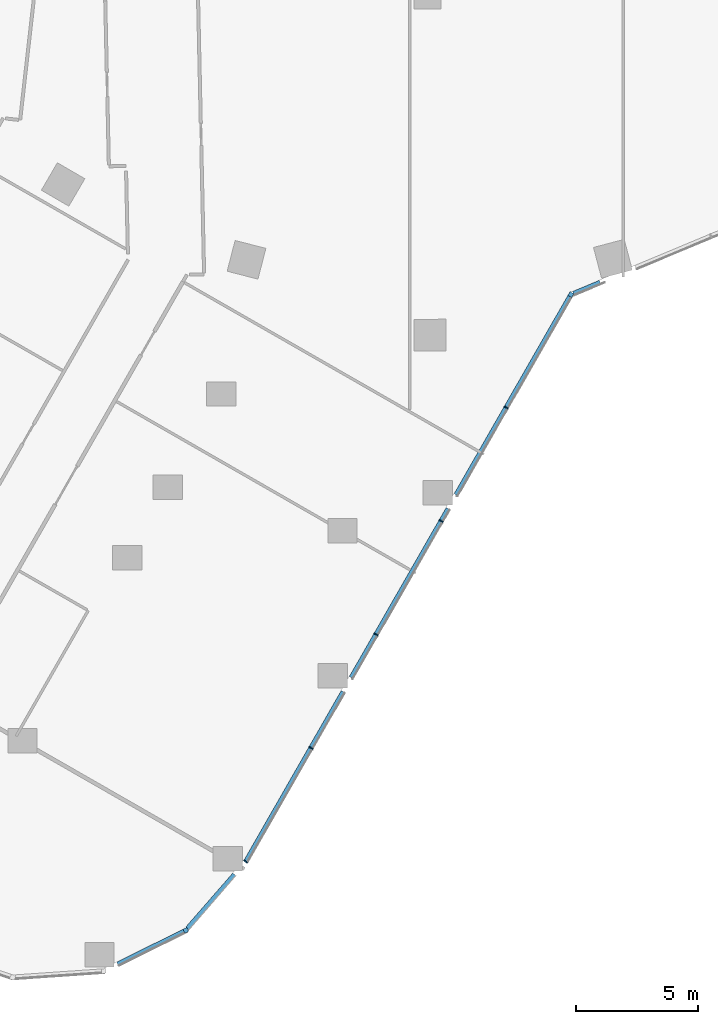
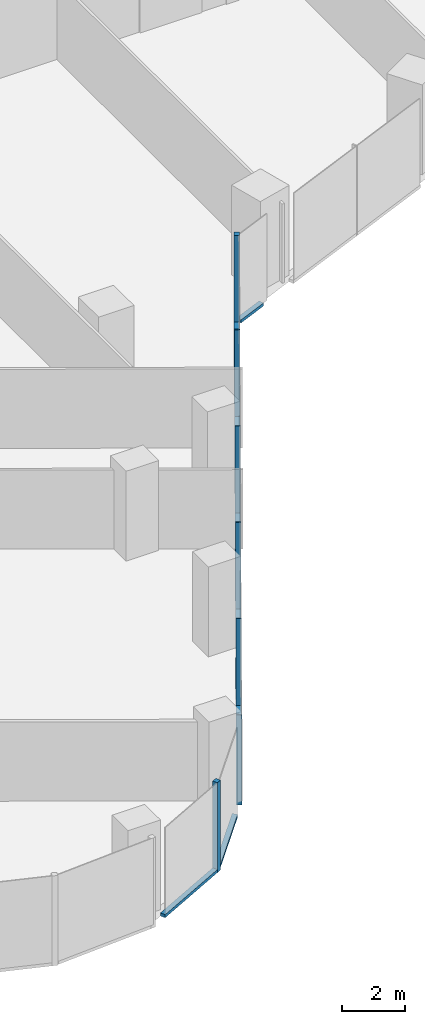
# One storey, part 5 of 34: 13 members, 4 elements without a shape of their own.
"""IFC4 building model written with IfcOpenShell, lengths in metres."""

from ifc_helpers import new_model, si_unit, direction, frame, origin, origin_2d, place, context, subcontext, project, spatial, rectangle, extrude, material, material_profile, profile_set, type_object, element, aggregate, save


model = new_model("IFC4")

# Units and contexts
model_context = context("Model", 3, precision=1e-05, world=origin(), true_north=direction((0.0, 1.0)))
body_context = subcontext(model_context, "Body", "Model", "MODEL_VIEW")
ifc_project = project(units=[si_unit("LENGTHUNIT", "METRE"), si_unit("AREAUNIT", "SQUARE_METRE"), si_unit("VOLUMEUNIT", "CUBIC_METRE"), si_unit("PLANEANGLEUNIT", "RADIAN"), si_unit("MASSUNIT", "GRAM", prefix="KILO")], contexts=[model_context])

# Site, building, storey
site_placement = place(None, origin())
site = spatial("IfcSite", under=ifc_project, at=site_placement, CompositionType="ELEMENT")
building_placement = place(site_placement, origin())
building = spatial("IfcBuilding", under=site, at=building_placement, Name="Orlundy Tower", CompositionType="ELEMENT")
storey_placement = place(building_placement, frame((0.0, 0.0, 109.199951171875)))
storey = spatial("IfcBuildingStorey", under=building, at=storey_placement, Name="L27", CompositionType="ELEMENT", Elevation=109.199951171875)

# Curtain wall, member
ifc_material_1 = material(Name="Aluminium bronze anodised", Category="aluminium")
curtain_wall_type = type_object("IfcCurtainWallType", Name="CW1 wall", PredefinedType="NOTDEFINED", material=ifc_material_1)
curtain_wall_1_placement = place(storey_placement, origin())
curtain_wall_1 = element("IfcCurtainWall", 1, at=curtain_wall_1_placement, inside=storey, type_object=curtain_wall_type, Name="CW1 run 02", PredefinedType="NOTDEFINED")
ifc_material_2 = material(Name="Aluminium bronze anodised", Category="aluminium")
ifc_material_profile_1 = material_profile(ifc_material_2, rectangle(XDim=0.179931640625, YDim=0.179931640625, at=origin_2d()), Name="CW1 corner post 180x180")
ifc_profile_set_1 = profile_set([ifc_material_profile_1], Name="Aluminium bronze anodised")
member_type_1 = type_object("IfcMemberType", Name="CW1 corner post 180x180", PredefinedType="MULLION", material=ifc_profile_set_1)
member_1_placement = place(storey_placement, frame((5.86279296875, -30.16015625, -0.39990234375), z_axis=(0.0, 0.0, 1.0), x_axis=(0.867479299789, -0.497473280125, 0.0)))
member_1 = element("IfcMember", 2, at=member_1_placement, type_object=member_type_1, Name="CW1 mullion 9", PredefinedType="MULLION", context=body_context, shape_type="SweptSolid", body=[
    extrude(rectangle(XDim=0.179931640625, YDim=0.179931640625, at=origin_2d()), origin(), (0.0, 0.0, 1.0), 3.5),
])

curtain_wall_2_placement = place(storey_placement, origin())
curtain_wall_2 = element("IfcCurtainWall", 3, at=curtain_wall_2_placement, inside=storey, type_object=curtain_wall_type, Name="CW1 run 04", PredefinedType="NOTDEFINED")
member_2_placement = place(storey_placement, frame((-9.90380859375, -56.189697265625, -0.39990234375), z_axis=(0.0, 0.0, 1.0), x_axis=(0.444838111689, -0.895610995013, 0.0)))
member_2 = element("IfcMember", 4, at=member_2_placement, type_object=member_type_1, Name="CW1 mullion 15", PredefinedType="MULLION", context=body_context, shape_type="SweptSolid", body=[
    extrude(rectangle(XDim=0.179931640625, YDim=0.179931640625, at=origin_2d()), origin(), (0.0, 0.0, 1.0), 3.5),
])

# Member
ifc_material_3 = material(Name="Aluminium bronze anodised", Category="aluminium")
ifc_material_profile_2 = material_profile(ifc_material_3, rectangle(XDim=0.179931640625, YDim=0.050048828125, at=origin_2d()), Name="CW1 mullion 50x180")
ifc_profile_set_2 = profile_set([ifc_material_profile_2], Name="Aluminium bronze anodised")
member_type_2 = type_object("IfcMemberType", Name="CW1 mullion 50x180", PredefinedType="MULLION", material=ifc_profile_set_2)
member_3_placement = place(storey_placement, frame((3.21337890625, -34.780517578125, -0.39990234375), z_axis=(0.0, 0.0, 1.0), x_axis=(0.867479299789, -0.497473280125, 0.0)))
member_3 = element("IfcMember", 5, at=member_3_placement, type_object=member_type_2, Name="CW1 mullion 10", PredefinedType="MULLION", context=body_context, shape_type="SweptSolid", body=[
    extrude(rectangle(XDim=0.179931640625, YDim=0.050048828125, at=origin_2d()), origin(), (0.0, 0.0, 1.0), 3.5),
])

member_4_placement = place(storey_placement, frame((0.548583984375, -39.427490234375, -0.39990234375), z_axis=(0.0, 0.0, 1.0), x_axis=(0.867479299789, -0.497473280125, 0.0)))
member_4 = element("IfcMember", 6, at=member_4_placement, type_object=member_type_2, Name="CW1 mullion 11", PredefinedType="MULLION", context=body_context, shape_type="SweptSolid", body=[
    extrude(rectangle(XDim=0.179931640625, YDim=0.050048828125, at=origin_2d()), origin(), (0.0, 0.0, 1.0), 3.5),
])

member_5_placement = place(storey_placement, frame((-2.1162109375, -44.07421875, -0.39990234375), z_axis=(0.0, 0.0, 1.0), x_axis=(0.867479299789, -0.497473280125, 0.0)))
member_5 = element("IfcMember", 7, at=member_5_placement, type_object=member_type_2, Name="CW1 mullion 12", PredefinedType="MULLION", context=body_context, shape_type="SweptSolid", body=[
    extrude(rectangle(XDim=0.179931640625, YDim=0.050048828125, at=origin_2d()), origin(), (0.0, 0.0, 1.0), 3.5),
])

member_6_placement = place(storey_placement, frame((-4.781005859375, -48.720947265625, -0.39990234375), z_axis=(0.0, 0.0, 1.0), x_axis=(0.867479299789, -0.497473280125, 0.0)))
member_6 = element("IfcMember", 8, at=member_6_placement, type_object=member_type_2, Name="CW1 mullion 13", PredefinedType="MULLION", context=body_context, shape_type="SweptSolid", body=[
    extrude(rectangle(XDim=0.179931640625, YDim=0.050048828125, at=origin_2d()), origin(), (0.0, 0.0, 1.0), 3.5),
])

# Curtain wall, member
curtain_wall_3_placement = place(storey_placement, origin())
curtain_wall_3 = element("IfcCurtainWall", 9, at=curtain_wall_3_placement, inside=storey, type_object=curtain_wall_type, Name="CW1 run 03", PredefinedType="NOTDEFINED")
member_7_placement = place(storey_placement, frame((-7.450439453125, -53.37548828125, -0.39990234375), z_axis=(0.0, 0.0, 1.0), x_axis=(0.814535332727, -0.580113947202, 0.0)))
member_7 = element("IfcMember", 10, at=member_7_placement, type_object=member_type_2, Name="CW1 mullion 14", PredefinedType="MULLION", context=body_context, shape_type="SweptSolid", body=[
    extrude(rectangle(XDim=0.179931640625, YDim=0.050048828125, at=origin_2d()), origin(), (0.0, 0.0, 1.0), 3.5),
])

curtain_wall_4_placement = place(storey_placement, origin())
curtain_wall_4 = element("IfcCurtainWall", 11, at=curtain_wall_4_placement, inside=storey, type_object=curtain_wall_type, Name="CW1 run 01", PredefinedType="NOTDEFINED")
ifc_material_4 = material(Name="Aluminium bronze anodised", Category="aluminium")
ifc_material_profile_3 = material_profile(ifc_material_4, rectangle(XDim=0.179931640625, YDim=0.1201171875, at=origin_2d()), Name="CW1 transom 180x120")
ifc_profile_set_3 = profile_set([ifc_material_profile_3], Name="Aluminium bronze anodised")
member_type_3 = type_object("IfcMemberType", Name="CW1 transom 180x120", PredefinedType="USERDEFINED", material=ifc_profile_set_3)
member_8_placement = place(storey_placement, frame((7.062255859375, -29.659423828125, -0.33984375), z_axis=(-0.922808793356, -0.385258265201, 0.0), x_axis=(0.385258265201, -0.922808793356, 0.0)))
member_8 = element("IfcMember", 12, at=member_8_placement, type_object=member_type_3, Name="CW1 transom", ObjectType="TRANSOM", PredefinedType="USERDEFINED", context=body_context, shape_type="SweptSolid", body=[
    extrude(rectangle(XDim=0.179931640625, YDim=0.1201171875, at=origin_2d()), origin(), (0.0, 0.0, 1.0), 1.186279296875),
])
aggregate(curtain_wall_4, [member_8])

# Member
member_9_placement = place(storey_placement, frame((5.818115234375, -30.23828125, -0.33984375), z_axis=(-0.497467087282, -0.867482851169, 0.0), x_axis=(0.867482851169, -0.497467087282, 0.0)))
member_9 = element("IfcMember", 13, at=member_9_placement, type_object=member_type_3, Name="CW1 transom", ObjectType="TRANSOM", PredefinedType="USERDEFINED", context=body_context, shape_type="SweptSolid", body=[
    extrude(rectangle(XDim=0.179931640625, YDim=0.1201171875, at=origin_2d()), origin(), (0.0, 0.0, 1.0), 9.359375),
])

member_10_placement = place(storey_placement, frame((0.8349609375, -38.927978515625, -0.33984375), z_axis=(-0.497493149582, -0.86746790495, 0.0), x_axis=(0.86746790495, -0.497493149582, 0.0)))
member_10 = element("IfcMember", 14, at=member_10_placement, type_object=member_type_3, Name="CW1 transom", ObjectType="TRANSOM", PredefinedType="USERDEFINED", context=body_context, shape_type="SweptSolid", body=[
    extrude(rectangle(XDim=0.179931640625, YDim=0.1201171875, at=origin_2d()), origin(), (0.0, 0.0, 1.0), 7.97607421875),
])

member_11_placement = place(storey_placement, frame((-3.4599609375, -46.4169921875, -0.33984375), z_axis=(-0.497452550995, -0.867491186992, 0.0), x_axis=(0.867491186992, -0.497452550995, 0.0)))
member_11 = element("IfcMember", 15, at=member_11_placement, type_object=member_type_3, Name="CW1 transom", ObjectType="TRANSOM", PredefinedType="USERDEFINED", context=body_context, shape_type="SweptSolid", body=[
    extrude(rectangle(XDim=0.179931640625, YDim=0.1201171875, at=origin_2d()), origin(), (0.0, 0.0, 1.0), 7.982666015625),
])

aggregate(curtain_wall_1, [member_1, member_3, member_4, member_5, member_6, member_9, member_10, member_11])

member_12_placement = place(storey_placement, frame((-7.9111328125, -53.904052734375, -0.33984375), z_axis=(-0.657166709107, -0.753745259648, 0.0), x_axis=(0.753745259648, -0.657166709107, 0.0)))
member_12 = element("IfcMember", 16, at=member_12_placement, type_object=member_type_3, Name="CW1 transom", ObjectType="TRANSOM", PredefinedType="USERDEFINED", context=body_context, shape_type="SweptSolid", body=[
    extrude(rectangle(XDim=0.179931640625, YDim=0.1201171875, at=origin_2d()), origin(), (0.0, 0.0, 1.0), 2.934814453125),
])

aggregate(curtain_wall_3, [member_7, member_12])

member_13_placement = place(storey_placement, frame((-9.984619140625, -56.229736328125, -0.33984375), z_axis=(-0.895605373213, -0.444849430113, 0.0), x_axis=(0.444849430113, -0.895605373213, 0.0)))
member_13 = element("IfcMember", 17, at=member_13_placement, type_object=member_type_3, Name="CW1 transom", ObjectType="TRANSOM", PredefinedType="USERDEFINED", context=body_context, shape_type="SweptSolid", body=[
    extrude(rectangle(XDim=0.179931640625, YDim=0.1201171875, at=origin_2d()), origin(), (0.0, 0.0, 1.0), 3.017333984375),
])

aggregate(curtain_wall_2, [member_2, member_13])

save(model, "model.ifc")
